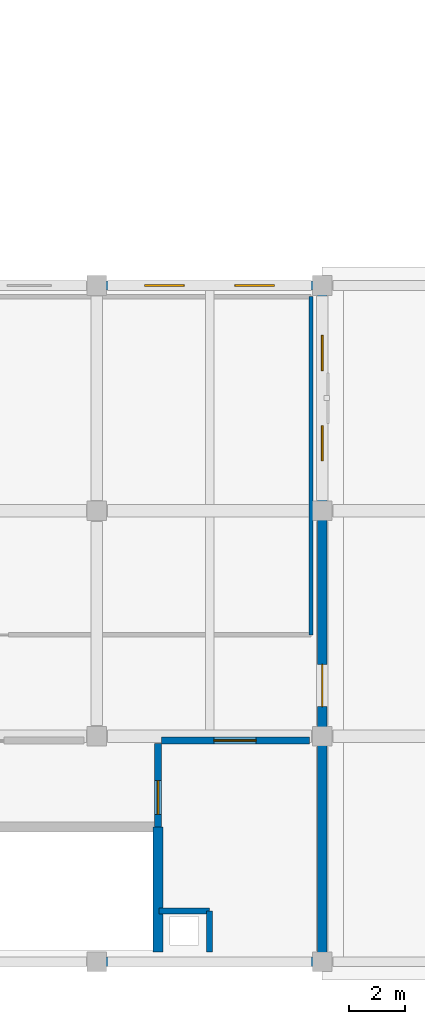
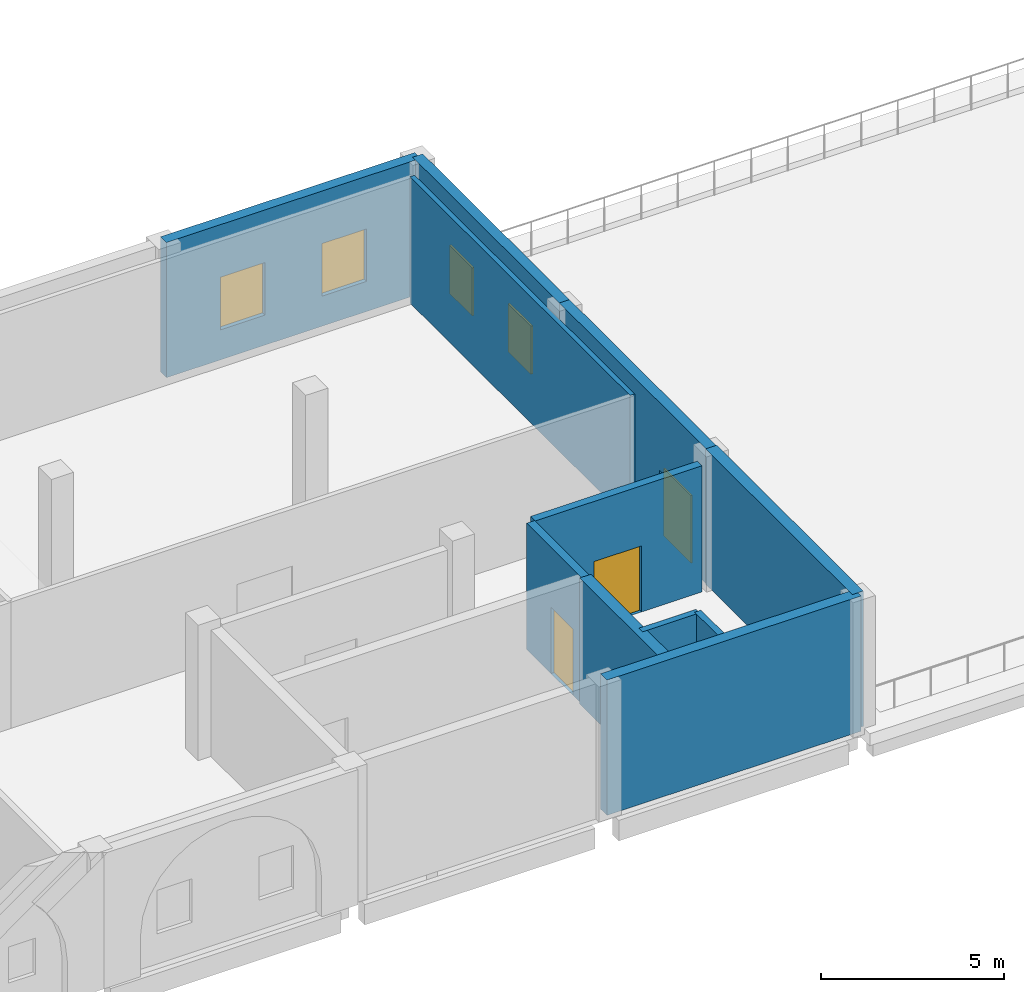
# One storey, part 32 of 45: 11 walls, 4 windows, 3 doors, 7 openings.
"""IFC4 building model written with IfcOpenShell, lengths in metres."""

from ifc_helpers import new_model, si_unit, direction, frame, frame_2d, origin, place, context, subcontext, project, spatial, rectangle, extrude, material, layer, layer_set, type_object, element, fill, save


model = new_model("IFC4")

# Units and contexts
model_context = context("Model", 3, precision=1e-05, world=origin(), true_north=direction((0.0, 1.0)))
body_context = subcontext(model_context, "Body", "Model", "MODEL_VIEW")
ifc_project = project(units=[si_unit("LENGTHUNIT", "METRE"), si_unit("AREAUNIT", "SQUARE_METRE"), si_unit("VOLUMEUNIT", "CUBIC_METRE"), si_unit("PLANEANGLEUNIT", "RADIAN"), si_unit("MASSUNIT", "GRAM", prefix="KILO")], contexts=[model_context])

# Site, building, storey
site_placement = place(None, origin())
site = spatial("IfcSite", under=ifc_project, at=site_placement, CompositionType="ELEMENT")
building_placement = place(site_placement, origin())
building = spatial("IfcBuilding", under=site, at=building_placement, Name="Qorikala Patio Media Centre", CompositionType="ELEMENT")
storey_placement = place(building_placement, frame((0.0, 0.0, 9.89990234375)))
storey = spatial("IfcBuildingStorey", under=building, at=storey_placement, Name="L02", CompositionType="ELEMENT", Elevation=9.89990234375)

# Walls
ifc_material_1 = material(Name="Concrete C35/45", Category="concrete")
ifc_layer_1 = layer(ifc_material_1, 0.35009765625)
ifc_layer_set_1 = layer_set([ifc_layer_1], Name="Concrete C35/45")
wall_type_1 = type_object("IfcWallType", Name="WL-CORE-350", PredefinedType="SHEAR", material=ifc_layer_set_1)
for number, where, z_axis, x_axis, name in (
    (1, (138.0, 11.0, 0.0), (0.0, 0.0, 1.0), (0.0, -1.0, 0.0), "L02 Core C7 Exterior Shear Wall"),
    (2, (138.0, 3.0, 0.0), (0.0, 0.0, 1.0), (-1.0, 0.0, 0.0), "L02 Core C7 Exterior Shear Wall"),
):
    element("IfcWall", number, at=place(storey_placement, frame(where, z_axis=z_axis, x_axis=x_axis)), inside=storey, type_object=wall_type_1, Name=name, PredefinedType="SHEAR", context=body_context, shape_type="SweptSolid", body=[
        extrude(rectangle(XDim=8.0, YDim=0.35009765625, at=frame_2d((4.0, 0.0))), origin(), (0.0, 0.0, 1.0), 4.5),
    ])
wall_1_placement = place(storey_placement, frame((132.175048828125, 3.35009765625, 0.0), z_axis=(0.0, 0.0, 1.0), x_axis=(0.0, 1.0, 0.0)))
element("IfcWall", 3, at=wall_1_placement, inside=storey, type_object=wall_type_1, Name="L02 Interior Wall CW-L02-C7-SE", PredefinedType="SHEAR", context=body_context, shape_type="SweptSolid", body=[
    extrude(rectangle(XDim=4.4248046875, YDim=0.35009765625, at=frame_2d((2.21240234375, 0.0))), origin(), (0.0, 0.0, 1.0), 4.2001953125),
])

# Wall, openings, windows
ifc_material_2 = material(Name="Ivory Lime Stucco and Concrete C35/45", Category="concrete")
ifc_layer_2 = layer(ifc_material_2, 0.320068359375)
ifc_layer_set_2 = layer_set([ifc_layer_2], Name="Ivory Lime Stucco and Concrete C35/45")
wall_type_2 = type_object("IfcWallType", Name="WL-EXT-320", PredefinedType="SOLIDWALL", material=ifc_layer_set_2)
wall_2_placement = place(storey_placement, frame((130.0, 27.0, 0.0), z_axis=(0.0, 0.0, 1.0), x_axis=(1.0, 0.0, 0.0)))
wall_2 = element("IfcWall", 4, at=wall_2_placement, inside=storey, type_object=wall_type_2, Name="L02 Exterior Wall WL-L02-EXT-0013", PredefinedType="SOLIDWALL", context=body_context, shape_type="SweptSolid", body=[
    extrude(rectangle(XDim=8.0, YDim=0.320068359375, at=frame_2d((4.0, 0.0))), origin(), (0.0, 0.0, 1.0), 4.5),
])
opening_1_placement = place(wall_2_placement, frame((1.699951171875, 0.0, 1.0)))
opening_1 = element("IfcOpeningElement", 5, at=opening_1_placement, cuts=wall_2, Name="Opening WE-140", PredefinedType="OPENING", context=body_context, shape_type="SweptSolid", body=[
    extrude(rectangle(XDim=1.39990234375, YDim=1.75, at=frame_2d((0.699951171875, 0.875))), frame((0.0, 0.169921875, 0.0), z_axis=(0.0, -1.0, 0.0), x_axis=(1.0, 0.0, 0.0)), (0.0, 0.0, 1.0), 0.340087890625),
])
opening_2_placement = place(wall_2_placement, frame((4.89990234375, 0.0, 1.0)))
opening_2 = element("IfcOpeningElement", 6, at=opening_2_placement, cuts=wall_2, Name="Opening WE-140", PredefinedType="OPENING", context=body_context, shape_type="SweptSolid", body=[
    extrude(rectangle(XDim=1.39990234375, YDim=1.75, at=frame_2d((0.699951171875, 0.875))), frame((0.0, 0.169921875, 0.0), z_axis=(0.0, -1.0, 0.0), x_axis=(1.0, 0.0, 0.0)), (0.0, 0.0, 1.0), 0.340087890625),
])
ifc_material_3 = material(Name="Bronze Anodised Aluminium and Low-E Glass", Category="aluminium")
window_type_1 = type_object("IfcWindowType", Name="WN-ED-140X175", PartitioningType="SINGLE_PANEL", PredefinedType="WINDOW", material=ifc_material_3)
window_1_placement = place(opening_1_placement, origin())
window_1 = element("IfcWindow", 7, at=window_1_placement, inside=storey, type_object=window_type_1, Name="L02 Editing Wing Casement Window 0137", OverallHeight=1.75, OverallWidth=1.39990234375, PartitioningType="SINGLE_PANEL", PredefinedType="WINDOW", context=body_context, shape_type="SweptSolid", body=[
    extrude(rectangle(XDim=1.39990234375, YDim=1.75, at=frame_2d((0.699951171875, 0.875))), frame((0.0, 0.030029296875, 0.0), z_axis=(0.0, -1.0, 0.0), x_axis=(1.0, 0.0, 0.0)), (0.0, 0.0, 1.0), 0.06005859375),
])
fill(opening_1, window_1)
window_2_placement = place(opening_2_placement, origin())
window_2 = element("IfcWindow", 8, at=window_2_placement, inside=storey, type_object=window_type_1, Name="L02 Editing Wing Casement Window 0138", OverallHeight=1.75, OverallWidth=1.39990234375, PartitioningType="SINGLE_PANEL", PredefinedType="WINDOW", context=body_context, shape_type="SweptSolid", body=[
    extrude(rectangle(XDim=1.39990234375, YDim=1.75, at=frame_2d((0.699951171875, 0.875))), frame((0.0, 0.030029296875, 0.0), z_axis=(0.0, -1.0, 0.0), x_axis=(1.0, 0.0, 0.0)), (0.0, 0.0, 1.0), 0.06005859375),
])
fill(opening_2, window_2)

wall_3_placement = place(storey_placement, frame((138.0, 27.0, 0.0), z_axis=(0.0, 0.0, 1.0), x_axis=(0.0, -1.0, 0.0)))
wall_3 = element("IfcWall", 9, at=wall_3_placement, inside=storey, type_object=wall_type_2, Name="L02 Exterior Wall WL-L02-EXT-0014", PredefinedType="SOLIDWALL", context=body_context, shape_type="SweptSolid", body=[
    extrude(rectangle(XDim=8.0, YDim=0.320068359375, at=frame_2d((4.0, 0.0))), origin(), (0.0, 0.0, 1.0), 4.5),
])
opening_3_placement = place(wall_3_placement, frame((1.77490234375, 0.0, 1.0)))
opening_3 = element("IfcOpeningElement", 10, at=opening_3_placement, cuts=wall_3, Name="Opening WE-125", PredefinedType="OPENING", context=body_context, shape_type="SweptSolid", body=[
    extrude(rectangle(XDim=1.25, YDim=1.60009765625, at=frame_2d((0.625, 0.800048828125))), frame((0.0, 0.169921875, 0.0), z_axis=(0.0, -1.0, 0.0), x_axis=(1.0, 0.0, 0.0)), (0.0, 0.0, 1.0), 0.340087890625),
])
opening_4_placement = place(wall_3_placement, frame((4.97509765625, 0.0, 1.0)))
opening_4 = element("IfcOpeningElement", 11, at=opening_4_placement, cuts=wall_3, Name="Opening WE-125", PredefinedType="OPENING", context=body_context, shape_type="SweptSolid", body=[
    extrude(rectangle(XDim=1.25, YDim=1.60009765625, at=frame_2d((0.625, 0.800048828125))), frame((0.0, 0.169921875, 0.0), z_axis=(0.0, -1.0, 0.0), x_axis=(1.0, 0.0, 0.0)), (0.0, 0.0, 1.0), 0.340087890625),
])
window_type_2 = type_object("IfcWindowType", Name="WN-ED-125X160", PartitioningType="SINGLE_PANEL", PredefinedType="WINDOW", material=ifc_material_3)
window_3_placement = place(opening_3_placement, origin())
window_3 = element("IfcWindow", 12, at=window_3_placement, inside=storey, type_object=window_type_2, Name="L02 Editing Wing Casement Window 0139", OverallHeight=1.60009765625, OverallWidth=1.25, PartitioningType="SINGLE_PANEL", PredefinedType="WINDOW", context=body_context, shape_type="SweptSolid", body=[
    extrude(rectangle(XDim=1.25, YDim=1.60009765625, at=frame_2d((0.625, 0.800048828125))), frame((0.0, 0.030029296875, 0.0), z_axis=(0.0, -1.0, 0.0), x_axis=(1.0, 0.0, 0.0)), (0.0, 0.0, 1.0), 0.06005859375),
])
fill(opening_3, window_3)
window_4_placement = place(opening_4_placement, origin())
window_4 = element("IfcWindow", 13, at=window_4_placement, inside=storey, type_object=window_type_2, Name="L02 Editing Wing Casement Window 0140", OverallHeight=1.60009765625, OverallWidth=1.25, PartitioningType="SINGLE_PANEL", PredefinedType="WINDOW", context=body_context, shape_type="SweptSolid", body=[
    extrude(rectangle(XDim=1.25, YDim=1.60009765625, at=frame_2d((0.625, 0.800048828125))), frame((0.0, 0.030029296875, 0.0), z_axis=(0.0, -1.0, 0.0), x_axis=(1.0, 0.0, 0.0)), (0.0, 0.0, 1.0), 0.06005859375),
])
fill(opening_4, window_4)

# Wall, opening, door
wall_4_placement = place(storey_placement, frame((138.0, 19.0, 0.0), z_axis=(0.0, 0.0, 1.0), x_axis=(0.0, -1.0, 0.0)))
wall_4 = element("IfcWall", 14, at=wall_4_placement, inside=storey, type_object=wall_type_2, Name="L02 Exterior Wall WL-L02-EXT-0015", PredefinedType="SOLIDWALL", context=body_context, shape_type="SweptSolid", body=[
    extrude(rectangle(XDim=8.0, YDim=0.320068359375, at=frame_2d((4.0, 0.0))), origin(), (0.0, 0.0, 1.0), 4.5),
])
opening_5_placement = place(wall_4_placement, frame((5.449951171875, 0.0, 0.0)))
opening_5 = element("IfcOpeningElement", 15, at=opening_5_placement, cuts=wall_4, Name="Opening D020", PredefinedType="OPENING", context=body_context, shape_type="SweptSolid", body=[
    extrude(rectangle(XDim=1.5, YDim=2.25, at=frame_2d((0.75, 1.125))), frame((0.0, 0.169921875, 0.0), z_axis=(0.0, -1.0, 0.0), x_axis=(1.0, 0.0, 0.0)), (0.0, 0.0, 1.0), 0.340087890625),
])
ifc_material_4 = material(Name="Bronze Anodised Aluminium and Glass", Category="aluminium")
door_type_1 = type_object("IfcDoorType", Name="DR-TER-150X225", OperationType="DOUBLE_DOOR_SINGLE_SWING", PredefinedType="DOOR", material=ifc_material_4)
door_1_placement = place(opening_5_placement, origin())
door_1 = element("IfcDoor", 16, at=door_1_placement, inside=storey, type_object=door_type_1, Name="L02 Planted Roof Garden Access Door", OperationType="DOUBLE_DOOR_SINGLE_SWING", OverallHeight=2.25, OverallWidth=1.5, PredefinedType="DOOR", context=body_context, shape_type="SweptSolid", body=[
    extrude(rectangle(XDim=1.5, YDim=2.25, at=frame_2d((0.75, 1.125))), frame((0.0, 0.02490234375, 0.0), z_axis=(0.0, -1.0, 0.0), x_axis=(1.0, 0.0, 0.0)), (0.0, 0.0, 1.0), 0.050048828125),
])
fill(opening_5, door_1)

ifc_layer_3 = layer(ifc_material_1, 0.25)
ifc_layer_set_3 = layer_set([ifc_layer_3], Name="Concrete C35/45")
wall_type_3 = type_object("IfcWallType", Name="WL-FFL-250", PredefinedType="PARTITIONING", material=ifc_layer_set_3)
wall_5_placement = place(storey_placement, frame((132.175048828125, 7.77490234375, 0.0), z_axis=(0.0, 0.0, 1.0), x_axis=(0.0, 1.0, 0.0)))
wall_5 = element("IfcWall", 17, at=wall_5_placement, inside=storey, type_object=wall_type_3, Name="L02 Interior Wall CW-L02-C7-LBD", PredefinedType="PARTITIONING", context=body_context, shape_type="SweptSolid", body=[
    extrude(rectangle(XDim=2.97509765625, YDim=0.25, at=frame_2d((1.487548828125, 0.0))), origin(), (0.0, 0.0, 1.0), 4.2001953125),
])
opening_6_placement = place(wall_5_placement, frame((0.449951171875, 0.0, 0.0)))
opening_6 = element("IfcOpeningElement", 18, at=opening_6_placement, cuts=wall_5, Name="Opening D209", PredefinedType="OPENING", context=body_context, shape_type="SweptSolid", body=[
    extrude(rectangle(XDim=1.199951171875, YDim=2.199951171875, at=frame_2d((0.60009765625, 1.10009765625))), frame((0.0, 0.135009765625, 0.0), z_axis=(0.0, -1.0, 0.0), x_axis=(1.0, 0.0, 0.0)), (0.0, 0.0, 1.0), 0.27001953125),
])
ifc_material_5 = material(Name="Acoustic Fire Timber and Steel", Category="steel")
door_type_2 = type_object("IfcDoorType", Name="DR-FD60-120X220", OperationType="NOTDEFINED", PredefinedType="DOOR", material=ifc_material_5)
door_2_placement = place(opening_6_placement, origin())
door_2 = element("IfcDoor", 19, at=door_2_placement, inside=storey, type_object=door_type_2, Name="L02 Core C7 Firefighting Lobby Cross Door", OperationType="SINGLE_SWING_LEFT", OverallHeight=2.199951171875, OverallWidth=1.199951171875, PredefinedType="DOOR", context=body_context, shape_type="SweptSolid", body=[
    extrude(rectangle(XDim=1.199951171875, YDim=2.199951171875, at=frame_2d((0.60009765625, 1.10009765625))), frame((0.0, 0.02490234375, 0.0), z_axis=(0.0, -1.0, 0.0), x_axis=(1.0, 0.0, 0.0)), (0.0, 0.0, 1.0), 0.050048828125),
])
fill(opening_6, door_2)

wall_6_placement = place(storey_placement, frame((132.300048828125, 10.85009765625, 0.0), z_axis=(0.0, 0.0, 1.0), x_axis=(1.0, 0.0, 0.0)))
wall_6 = element("IfcWall", 20, at=wall_6_placement, inside=storey, type_object=wall_type_3, Name="L02 Interior Wall CW-L02-C7-CN2", PredefinedType="PARTITIONING", context=body_context, shape_type="SweptSolid", body=[
    extrude(rectangle(XDim=5.25, YDim=0.25, at=frame_2d((2.625, 0.0))), origin(), (0.0, 0.0, 1.0), 4.2001953125),
])
opening_7_placement = place(wall_6_placement, frame((1.85009765625, 0.0, 0.0)))
opening_7 = element("IfcOpeningElement", 21, at=opening_7_placement, cuts=wall_6, Name="Opening D211", PredefinedType="OPENING", context=body_context, shape_type="SweptSolid", body=[
    extrude(rectangle(XDim=1.5, YDim=2.199951171875, at=frame_2d((0.75, 1.10009765625))), frame((0.0, 0.135009765625, 0.0), z_axis=(0.0, -1.0, 0.0), x_axis=(1.0, 0.0, 0.0)), (0.0, 0.0, 1.0), 0.27001953125),
])
ifc_material_6 = material(Name="Powder-Coated Acoustic Fire Steel", Category="steel")
door_type_3 = type_object("IfcDoorType", Name="DR-FD60-150X220", OperationType="DOUBLE_DOOR_SINGLE_SWING", PredefinedType="DOOR", material=ifc_material_6)
door_3_placement = place(opening_7_placement, origin())
door_3 = element("IfcDoor", 22, at=door_3_placement, inside=storey, type_object=door_type_3, Name="L02 Core C7 Firefighting Lobby Door", OperationType="DOUBLE_DOOR_SINGLE_SWING", OverallHeight=2.199951171875, OverallWidth=1.5, PredefinedType="DOOR", context=body_context, shape_type="SweptSolid", body=[
    extrude(rectangle(XDim=1.5, YDim=2.199951171875, at=frame_2d((0.75, 1.10009765625))), frame((0.0, 0.02490234375, 0.0), z_axis=(0.0, -1.0, 0.0), x_axis=(1.0, 0.0, 0.0)), (0.0, 0.0, 1.0), 0.050048828125),
])
fill(opening_7, door_3)

# Walls
ifc_material_7 = material(Name="Acoustic Gypsum Stud Partition")
ifc_layer_4 = layer(ifc_material_7, 0.14990234375)
ifc_layer_set_4 = layer_set([ifc_layer_4], Name="Acoustic Gypsum Stud Partition")
wall_type_4 = type_object("IfcWallType", Name="WL-PT-150", PredefinedType="PARTITIONING", material=ifc_layer_set_4)
wall_7_placement = place(storey_placement, frame((137.60009765625, 14.60009765625, 0.0), z_axis=(0.0, 0.0, 1.0), x_axis=(0.0, 1.0, 0.0)))
element("IfcWall", 23, at=wall_7_placement, inside=storey, type_object=wall_type_4, Name="L02 Interior Wall WINT-L02-GLNG-E", PredefinedType="PARTITIONING", context=body_context, shape_type="SweptSolid", body=[
    extrude(rectangle(XDim=12.0, YDim=0.14990234375, at=frame_2d((6.0, 0.0))), origin(), (0.0, 0.0, 1.0), 4.2001953125),
])
ifc_material_8 = material(Name="Acoustic Masonry and Plaster Concrete C30/37", Category="masonry")
ifc_layer_5 = layer(ifc_material_8, 0.199951171875)
ifc_layer_set_5 = layer_set([ifc_layer_5], Name="Acoustic Masonry and Plaster Concrete C30/37")
wall_type_5 = type_object("IfcWallType", Name="WL-ST-200", PredefinedType="PARTITIONING", material=ifc_layer_set_5)
wall_8_placement = place(storey_placement, frame((132.199951171875, 4.800048828125, 0.0), z_axis=(0.0, 0.0, 1.0), x_axis=(1.0, 0.0, 0.0)))
element("IfcWall", 24, at=wall_8_placement, inside=storey, type_object=wall_type_5, Name="L02 Interior Wall CW-L02-C7-RSN", PredefinedType="PARTITIONING", context=body_context, shape_type="SweptSolid", body=[
    extrude(rectangle(XDim=1.800048828125, YDim=0.199951171875, at=frame_2d((0.89990234375, 0.0))), origin(), (0.0, 0.0, 1.0), 4.2001953125),
])
wall_9_placement = place(storey_placement, frame((134.0, 3.35009765625, 0.0), z_axis=(0.0, 0.0, 1.0), x_axis=(0.0, 1.0, 0.0)))
element("IfcWall", 25, at=wall_9_placement, inside=storey, type_object=wall_type_5, Name="L02 Interior Wall CW-L02-C7-RSE", PredefinedType="PARTITIONING", context=body_context, shape_type="SweptSolid", body=[
    extrude(rectangle(XDim=1.449951171875, YDim=0.199951171875, at=frame_2d((0.72509765625, 0.0))), origin(), (0.0, 0.0, 1.0), 4.2001953125),
])

save(model, "model.ifc")
